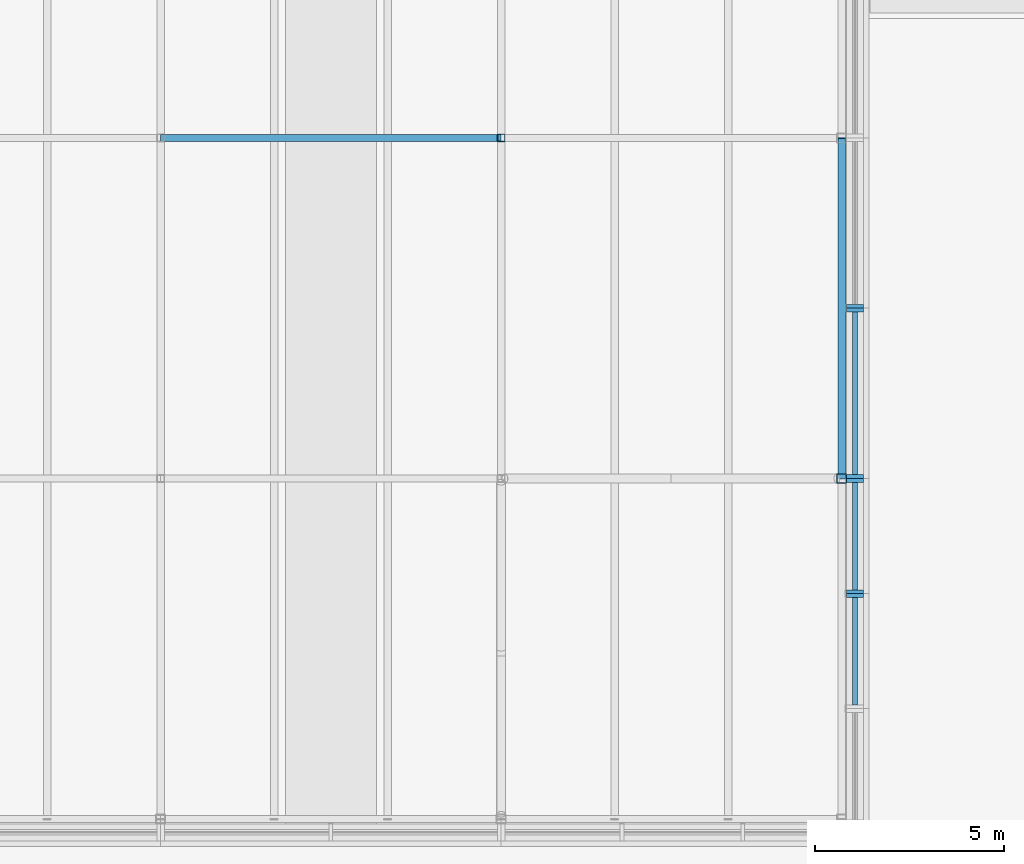
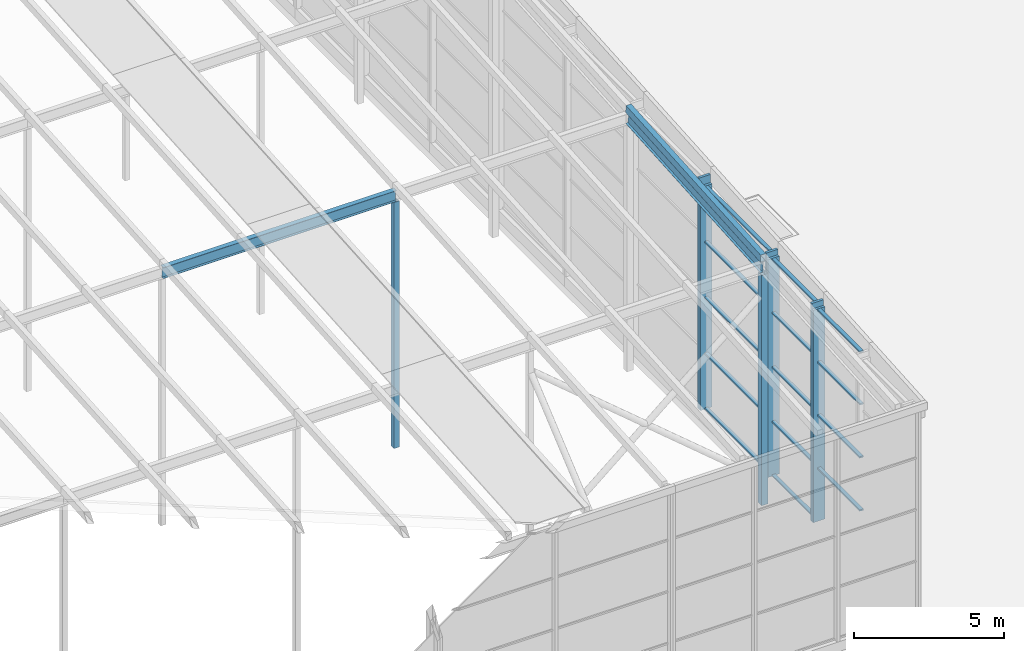
# One storey, part 21 of 84: 23 members, 2 beams, 4 elements without a shape of their own.
"""IFC4 building model written with IfcOpenShell, lengths in metres."""

import ifcopenshell
import ifcopenshell.guid

model = None  # the IFC model being written
_history = None  # IfcOwnerHistory: only IFC2X3 demands one
_inside = {}  # id of a spatial element -> (the spatial element, [elements in it])
_under = {}  # id of a project, library or spatial element -> (it, [spatial elements below it])
_declared = {}  # id of a project -> (the project, [libraries it declares])
_typed = {}  # id of a type object -> (the type object, [elements of that type])
_made_of = {}  # id of a material, layer set ... -> (it, [elements and type objects made of it])


def new_model(schema):
    """Start an empty IFC model of exactly this schema.

    Asked for "IFC4X3", IfcOpenShell would pick the latest addendum, in which some entities
    have other attributes; the version numbers below select the first issue.
    IFC2X3 requires an IfcOwnerHistory on every rooted entity: one is made here for all.
    """
    global model, _history
    if schema == "IFC4X3":
        model = ifcopenshell.file(schema_version=(4, 3, 0, 0))
    else:
        model = ifcopenshell.file(schema=schema)
    _inside.clear()
    _under.clear()
    _declared.clear()
    _typed.clear()
    _made_of.clear()
    _history = None
    if model.schema == "IFC2X3":
        org = make("IfcOrganization", Name="unknown")
        user = make(
            "IfcPersonAndOrganization",
            ThePerson=make("IfcPerson", FamilyName="unknown"),
            TheOrganization=org,
        )
        app = make(
            "IfcApplication",
            ApplicationDeveloper=org,
            Version="unknown",
            ApplicationFullName="unknown",
            ApplicationIdentifier="unknown",
        )
        _history = make(
            "IfcOwnerHistory",
            OwningUser=user,
            OwningApplication=app,
            ChangeAction="ADDED",
            CreationDate=0,
        )
    return model


def make(cls, **values):
    """One entity of the class cls with the attributes given. An attribute that is None is left unset."""
    return model.create_entity(
        cls, **{name: value for name, value in values.items() if value is not None}
    )


def rooted(cls, **values):
    """An entity with a GlobalId (a new one), such as an element, a storey or a relation."""
    return make(cls, GlobalId=ifcopenshell.guid.new(), OwnerHistory=_history, **values)


def si_unit(unit_type, name, prefix=None):
    """IfcSIUnit, for example si_unit("LENGTHUNIT", "METRE", prefix="MILLI")."""
    return make("IfcSIUnit", UnitType=unit_type, Prefix=prefix, Name=name)


def assignment(units):
    """IfcUnitAssignment: the units of a project."""
    return None if units is None else make("IfcUnitAssignment", Units=units)


def point(xyz):
    """IfcCartesianPoint."""
    return None if xyz is None else make("IfcCartesianPoint", Coordinates=xyz)


def direction(xyz):
    """IfcDirection."""
    return None if xyz is None else make("IfcDirection", DirectionRatios=xyz)


def frame(location, z_axis=None, x_axis=None):
    """IfcAxis2Placement3D, a coordinate frame: its origin and axes. An axis left out is left unset."""
    return make(
        "IfcAxis2Placement3D",
        Location=point(location),
        Axis=direction(z_axis),
        RefDirection=direction(x_axis),
    )


def frame_2d(location, x_axis=None):
    """IfcAxis2Placement2D, a coordinate frame in the plane: its origin and x axis."""
    return make(
        "IfcAxis2Placement2D", Location=point(location), RefDirection=direction(x_axis)
    )


def origin():
    """The frame at (0, 0, 0) with its axes left unset."""
    return frame((0.0, 0.0, 0.0))


def origin_2d():
    """The frame at (0, 0) in the plane with its x axis left unset."""
    return frame_2d((0.0, 0.0))


def place(relative_to, where):
    """IfcLocalPlacement: puts the frame where relative to a parent placement (None: the world)."""
    return make(
        "IfcLocalPlacement", PlacementRelTo=relative_to, RelativePlacement=where
    )


def context(
    kind, dimensions, precision=None, world=None, true_north=None, identifier=None
):
    """IfcGeometricRepresentationContext, for example the 3D "Model" context."""
    return make(
        "IfcGeometricRepresentationContext",
        ContextIdentifier=identifier,
        ContextType=kind,
        CoordinateSpaceDimension=dimensions,
        Precision=precision,
        WorldCoordinateSystem=world,
        TrueNorth=true_north,
    )


def subcontext(parent, identifier, kind, view, scale=None):
    """IfcGeometricRepresentationSubContext, for example "Body" below "Model"."""
    return make(
        "IfcGeometricRepresentationSubContext",
        ContextIdentifier=identifier,
        ContextType=kind,
        ParentContext=parent,
        TargetScale=scale,
        TargetView=view,
    )


def project(units=None, contexts=None):
    """IfcProject with its units and contexts."""
    return rooted(
        "IfcProject",
        Name="project",
        RepresentationContexts=contexts,
        UnitsInContext=assignment(units),
    )


def spatial(cls, under=None, at=None, **own):
    """A site, building, storey or space (cls), placed at a placement, below another one or the project."""
    s = rooted(cls, ObjectPlacement=at, **own)
    if under is not None:
        _under.setdefault(under.id(), (under, []))[1].append(s)
    return s


def profile(cls, at=None, kind="AREA", **sizes):
    """A parametric profile (cls). Its sizes go by their IFC names, for example OverallWidth=200.0."""
    return make(cls, ProfileType=kind, Position=at, **sizes)


def rectangle(**sizes):
    """IfcRectangleProfileDef."""
    return profile("IfcRectangleProfileDef", **sizes)


def hollow_rectangle(**sizes):
    """IfcRectangleHollowProfileDef."""
    return profile("IfcRectangleHollowProfileDef", **sizes)


def i_section(**sizes):
    """IfcIShapeProfileDef."""
    return profile("IfcIShapeProfileDef", **sizes)


def extrude(swept, where, along, depth):
    """IfcExtrudedAreaSolid: the profile swept, set in the frame where, extruded along a direction by depth."""
    return make(
        "IfcExtrudedAreaSolid",
        SweptArea=swept,
        Position=where,
        ExtrudedDirection=direction(along),
        Depth=depth,
    )


def shape(context_of_items, identifier, shape_type, items):
    """IfcShapeRepresentation: the items that make up one representation, for example the "Body"."""
    return make(
        "IfcShapeRepresentation",
        ContextOfItems=context_of_items,
        RepresentationIdentifier=identifier,
        RepresentationType=shape_type,
        Items=items,
    )


def material(Name=None, Category=None):
    """IfcMaterial."""
    return make("IfcMaterial", Name=Name, Category=Category)


def material_profile(
    of_material, cross_section, Name=None, Category=None, Priority=None
):
    """IfcMaterialProfile: a cross section and its material."""
    return make(
        "IfcMaterialProfile",
        Name=Name,
        Material=of_material,
        Profile=cross_section,
        Priority=Priority,
        Category=Category,
    )


def profile_set(profiles, Name=None, composite=None):
    """IfcMaterialProfileSet."""
    return make(
        "IfcMaterialProfileSet",
        Name=Name,
        MaterialProfiles=profiles,
        CompositeProfile=composite,
    )


def made_of(thing, what):
    """Note that an element or type object is made of a material, layer set ...; save() writes the relation."""
    if what is not None:
        _made_of.setdefault(what.id(), (what, []))[1].append(thing)
    return thing


def type_object(cls, material=None, **own):
    """A type object (cls), such as IfcWallType, which elements share."""
    return made_of(rooted(cls, **own), material)


def element(
    cls,
    number,
    at=None,
    inside=None,
    cuts=None,
    type_object=None,
    material=None,
    context=None,
    identifier="Body",
    shape_type=None,
    held_by="IfcProductDefinitionShape",
    body=None,
    shapes=None,
    **own,
):
    """One element of the class cls, such as IfcWall. Its Tag is "e" and its number.

    at: its placement. inside: the storey or other place that contains it. cuts: it is an
    opening in that element (IfcRelVoidsElement). A single representation is given by context,
    identifier, shape_type and body (its items); several are given by shapes. held_by: the class
    of the entity that holds the representations. save() writes the other relations.
    """
    e = rooted(cls, Tag="e%d" % number, ObjectPlacement=at, **own)
    if body is not None:
        shapes = [shape(context, identifier, shape_type, body)]
    if shapes is not None:
        e.Representation = make(held_by, Representations=shapes)
    if inside is not None:
        _inside.setdefault(inside.id(), (inside, []))[1].append(e)
    if cuts is not None:
        rooted(
            "IfcRelVoidsElement", RelatingBuildingElement=cuts, RelatedOpeningElement=e
        )
    if type_object is not None:
        _typed.setdefault(type_object.id(), (type_object, []))[1].append(e)
    return made_of(e, material)


def aggregate(whole, parts):
    """IfcRelAggregates: a whole, such as a stair, and the parts it consists of."""
    return rooted("IfcRelAggregates", RelatingObject=whole, RelatedObjects=parts)


def save(model, path):
    """Write the relations noted so far, then the file.

    IfcRelAggregates (storeys below a building ...), IfcRelContainedInSpatialStructure (elements
    in a storey), IfcRelDefinesByType, IfcRelAssociatesMaterial and IfcRelDeclares: one each for
    every whole, place, type object, material and project.
    """
    for whole, parts in _under.values():
        aggregate(whole, parts)
    for where, things in _inside.values():
        rooted(
            "IfcRelContainedInSpatialStructure",
            RelatedElements=things,
            RelatingStructure=where,
        )
    for kind, things in _typed.values():
        rooted("IfcRelDefinesByType", RelatedObjects=things, RelatingType=kind)
    for what, things in _made_of.values():
        rooted("IfcRelAssociatesMaterial", RelatedObjects=things, RelatingMaterial=what)
    for by, libraries in _declared.values():
        rooted("IfcRelDeclares", RelatingContext=by, RelatedDefinitions=libraries)
    model.write(path)


model = new_model("IFC4")

# Units and contexts
model_context = context("Model", 3, precision=1e-05, world=origin(), true_north=direction((0.0, 1.0)))
body_context = subcontext(model_context, "Body", "Model", "MODEL_VIEW")
ifc_project = project(units=[si_unit("LENGTHUNIT", "METRE"), si_unit("AREAUNIT", "SQUARE_METRE"), si_unit("VOLUMEUNIT", "CUBIC_METRE"), si_unit("PLANEANGLEUNIT", "RADIAN"), si_unit("MASSUNIT", "GRAM", prefix="KILO")], contexts=[model_context])

# Site, building, storey
site_placement = place(None, origin())
site = spatial("IfcSite", under=ifc_project, at=site_placement, CompositionType="ELEMENT")
building_placement = place(site_placement, origin())
building = spatial("IfcBuilding", under=site, at=building_placement, Name="Silverbay Arena", CompositionType="ELEMENT")
storey_placement = place(building_placement, frame((0.0, 0.0, 47.10009765625)))
storey = spatial("IfcBuildingStorey", under=building, at=storey_placement, Name="ROOF", CompositionType="ELEMENT", Elevation=47.10009765625)

# Curtain wall, member
ifc_material_1 = material(Name="Aluminium framed glazing", Category="aluminium")
curtain_wall_type_1 = type_object("IfcCurtainWallType", Name="Curtain wall crown 3042 x 8661", PredefinedType="NOTDEFINED", material=ifc_material_1)
curtain_wall_1_placement = place(storey_placement, origin())
curtain_wall_1 = element("IfcCurtainWall", 1, at=curtain_wall_1_placement, inside=storey, type_object=curtain_wall_type_1, Name="ROOF CROWN CURTAIN WALL east bay 02", PredefinedType="NOTDEFINED")
ifc_material_2 = material(Name="Aluminium", Category="aluminium")
ifc_material_profile_1 = material_profile(ifc_material_2, rectangle(XDim=0.449951171875, YDim=0.10009765625, at=origin_2d()), Name="Mullion 100 x 450")
ifc_profile_set_1 = profile_set([ifc_material_profile_1], Name="Aluminium")
member_type_1 = type_object("IfcMemberType", Name="Mullion 100 x 450", PredefinedType="MULLION", material=ifc_profile_set_1)
placement = place(building_placement, frame((0.0, 0.0, 33.5)))
member_1_placement = place(placement, frame((180.35009765625, 32.908447265625, 14.050048828125), z_axis=(0.0, 0.0, 1.0), x_axis=(-1.0, 0.0, 0.0)))
member_1 = element("IfcMember", 2, at=member_1_placement, type_object=member_type_1, Name="CW64 mullion 2", PredefinedType="MULLION", context=body_context, shape_type="SweptSolid", body=[
    extrude(rectangle(XDim=0.449951171875, YDim=0.10009765625, at=origin_2d()), origin(), (0.0, 0.0, 1.0), 8.66064453125),
])

# Curtain wall, members
ifc_material_3 = material(Name="Aluminium framed glazing", Category="aluminium")
curtain_wall_type_2 = type_object("IfcCurtainWallType", Name="Curtain wall crown 3042 x 8880", PredefinedType="NOTDEFINED", material=ifc_material_3)
curtain_wall_2_placement = place(storey_placement, origin())
curtain_wall_2 = element("IfcCurtainWall", 3, at=curtain_wall_2_placement, inside=storey, type_object=curtain_wall_type_2, Name="ROOF CROWN CURTAIN WALL east bay 03", PredefinedType="NOTDEFINED")
member_2_placement = place(placement, frame((180.35009765625, 33.00830078125, 14.050048828125), z_axis=(0.0, 0.0, 1.0), x_axis=(-1.0, 0.0, 0.0)))
member_2 = element("IfcMember", 4, at=member_2_placement, type_object=member_type_1, Name="CW65 mullion 1", PredefinedType="MULLION", context=body_context, shape_type="SweptSolid", body=[
    extrude(rectangle(XDim=0.449951171875, YDim=0.10009765625, at=origin_2d()), origin(), (0.0, 0.0, 1.0), 8.88037109375),
])
member_3_placement = place(placement, frame((180.35009765625, 35.949951171875, 14.050048828125), z_axis=(0.0, 0.0, 1.0), x_axis=(-1.0, 0.0, 0.0)))
member_3 = element("IfcMember", 5, at=member_3_placement, type_object=member_type_1, Name="CW65 mullion 2", PredefinedType="MULLION", context=body_context, shape_type="SweptSolid", body=[
    extrude(rectangle(XDim=0.449951171875, YDim=0.10009765625, at=origin_2d()), origin(), (0.0, 0.0, 1.0), 8.88037109375),
])

ifc_material_4 = material(Name="Aluminium framed glazing", Category="aluminium")
curtain_wall_type_3 = type_object("IfcCurtainWallType", Name="Curtain wall crown 4500 x 9100", PredefinedType="NOTDEFINED", material=ifc_material_4)
curtain_wall_3_placement = place(storey_placement, origin())
curtain_wall_3 = element("IfcCurtainWall", 6, at=curtain_wall_3_placement, inside=storey, type_object=curtain_wall_type_3, Name="ROOF CROWN CURTAIN WALL east bay 04", PredefinedType="NOTDEFINED")
member_4_placement = place(placement, frame((180.35009765625, 36.050048828125, 14.050048828125), z_axis=(0.0, 0.0, 1.0), x_axis=(-1.0, 0.0, 0.0)))
member_4 = element("IfcMember", 7, at=member_4_placement, type_object=member_type_1, Name="CW66 mullion 1", PredefinedType="MULLION", context=body_context, shape_type="SweptSolid", body=[
    extrude(rectangle(XDim=0.449951171875, YDim=0.10009765625, at=origin_2d()), origin(), (0.0, 0.0, 1.0), 9.099853515625),
])
member_5_placement = place(placement, frame((180.35009765625, 40.449951171875, 14.050048828125), z_axis=(0.0, 0.0, 1.0), x_axis=(-1.0, 0.0, 0.0)))
member_5 = element("IfcMember", 8, at=member_5_placement, type_object=member_type_1, Name="CW66 mullion 2", PredefinedType="MULLION", context=body_context, shape_type="SweptSolid", body=[
    extrude(rectangle(XDim=0.449951171875, YDim=0.10009765625, at=origin_2d()), origin(), (0.0, 0.0, 1.0), 9.099853515625),
])

# Curtain wall, member
ifc_material_5 = material(Name="Aluminium framed glazing", Category="aluminium")
curtain_wall_type_4 = type_object("IfcCurtainWallType", Name="Curtain wall crown 4500 x 9425", PredefinedType="NOTDEFINED", material=ifc_material_5)
curtain_wall_4_placement = place(storey_placement, origin())
curtain_wall_4 = element("IfcCurtainWall", 9, at=curtain_wall_4_placement, inside=storey, type_object=curtain_wall_type_4, Name="ROOF CROWN CURTAIN WALL east bay 05", PredefinedType="NOTDEFINED")
member_6_placement = place(placement, frame((180.35009765625, 40.550048828125, 14.050048828125), z_axis=(0.0, 0.0, 1.0), x_axis=(-1.0, 0.0, 0.0)))
member_6 = element("IfcMember", 10, at=member_6_placement, type_object=member_type_1, Name="CW67 mullion 1", PredefinedType="MULLION", context=body_context, shape_type="SweptSolid", body=[
    extrude(rectangle(XDim=0.449951171875, YDim=0.10009765625, at=origin_2d()), origin(), (0.0, 0.0, 1.0), 9.425048828125),
])
aggregate(curtain_wall_4, [member_6])

# Member
ifc_material_6 = material(Name="Steel S355", Category="steel")
ifc_material_profile_2 = material_profile(ifc_material_6, hollow_rectangle(XDim=0.199951171875, YDim=0.300048828125, WallThickness=0.008056640625, at=origin_2d()), Name="RHS 300x200x8")
ifc_profile_set_2 = profile_set([ifc_material_profile_2], Name="Steel S355")
member_type_2 = type_object("IfcMemberType", Name="Purlin RHS 300x200x8", PredefinedType="PURLIN", material=ifc_profile_set_2)
member_7_placement = place(storey_placement, frame((180.0, 36.0, 9.3994140625), z_axis=(0.0, 0.997400967367, 0.07205074805), x_axis=(-1.0, 0.0, 0.0)))
element("IfcMember", 11, at=member_7_placement, inside=storey, type_object=member_type_2, Name="ROOF PURLIN crown line 34 bay 02", PredefinedType="PURLIN", context=body_context, shape_type="SweptSolid", body=[
    extrude(hollow_rectangle(XDim=0.199951171875, YDim=0.300048828125, WallThickness=0.008056640625, at=origin_2d()), origin(), (0.0, 0.0, 1.0), 9.0234375),
])

# Beams
ifc_material_7 = material(Name="Steel S355", Category="steel")
ifc_material_profile_3 = material_profile(ifc_material_7, i_section(OverallWidth=0.18994140625, OverallDepth=0.453369140625, WebThickness=0.008544921875, FlangeThickness=0.0126953125, at=origin_2d()), Name="UB 457x191x67")
ifc_profile_set_3 = profile_set([ifc_material_profile_3], Name="Steel S355")
beam_type = type_object("IfcBeamType", Name="Ring beam UB 457x191x67", PredefinedType="BEAM", material=ifc_profile_set_3)
beam_1_placement = place(storey_placement, frame((162.0, 45.0, 9.67236328125), z_axis=(1.0, 0.0, 0.0), x_axis=(0.0, 1.0, 0.0)))
element("IfcBeam", 12, at=beam_1_placement, inside=storey, type_object=beam_type, Name="RING BEAM crown row 03 19-20", PredefinedType="BEAM", context=body_context, shape_type="SweptSolid", body=[
    extrude(i_section(OverallWidth=0.18994140625, OverallDepth=0.453369140625, WebThickness=0.008544921875, FlangeThickness=0.0126953125, at=origin_2d()), origin(), (0.0, 0.0, 1.0), 9.0),
])
beam_2_placement = place(storey_placement, frame((180.0, 36.0, 9.0224609375), z_axis=(0.0, 0.997402911363, 0.072023832195), x_axis=(-1.0, 0.0, 0.0)))
element("IfcBeam", 13, at=beam_2_placement, inside=storey, type_object=beam_type, Name="RING BEAM crown east edge 02", PredefinedType="BEAM", context=body_context, shape_type="SweptSolid", body=[
    extrude(i_section(OverallWidth=0.18994140625, OverallDepth=0.453369140625, WebThickness=0.008544921875, FlangeThickness=0.0126953125, at=origin_2d()), origin(), (0.0, 0.0, 1.0), 9.0234375),
])

# Members
ifc_material_8 = material(Name="Steel S355", Category="steel")
ifc_material_profile_4 = material_profile(ifc_material_8, hollow_rectangle(XDim=0.199951171875, YDim=0.199951171875, WallThickness=0.008056640625, at=origin_2d()), Name="SHS 200x200x8")
ifc_profile_set_4 = profile_set([ifc_material_profile_4], Name="Steel S355")
member_type_3 = type_object("IfcMemberType", Name="Roof post SHS 200x200x8", PredefinedType="POST", material=ifc_profile_set_4)
member_8_placement = place(storey_placement, frame((171.0, 45.0, -0.60009765625), z_axis=(0.0, 0.0, 1.0), x_axis=(1.0, 0.0, 0.0)))
element("IfcMember", 14, at=member_8_placement, inside=storey, type_object=member_type_3, Name="ROOF CROWN POST 20 row 03", PredefinedType="POST", context=body_context, shape_type="SweptSolid", body=[
    extrude(hollow_rectangle(XDim=0.199951171875, YDim=0.199951171875, WallThickness=0.008056640625, at=origin_2d()), origin(), (0.0, 0.0, 1.0), 10.0458984375),
])
ifc_material_9 = material(Name="Steel S355", Category="steel")
ifc_material_profile_5 = material_profile(ifc_material_9, hollow_rectangle(XDim=0.25, YDim=0.25, WallThickness=0.008056640625, at=origin_2d()), Name="SHS 250x250x8")
ifc_profile_set_5 = profile_set([ifc_material_profile_5], Name="Steel S355")
member_type_4 = type_object("IfcMemberType", Name="Roof post SHS 250x250x8", PredefinedType="POST", material=ifc_profile_set_5)
member_9_placement = place(storey_placement, frame((180.0, 36.0, -0.60009765625), z_axis=(0.0, 0.0, 1.0), x_axis=(1.0, 0.0, 0.0)))
element("IfcMember", 15, at=member_9_placement, inside=storey, type_object=member_type_4, Name="ROOF CROWN POST 21 row 02", PredefinedType="POST", context=body_context, shape_type="SweptSolid", body=[
    extrude(hollow_rectangle(XDim=0.25, YDim=0.25, WallThickness=0.008056640625, at=origin_2d()), origin(), (0.0, 0.0, 1.0), 9.395751953125),
])

# Member
ifc_material_10 = material(Name="Aluminium", Category="aluminium")
ifc_material_profile_6 = material_profile(ifc_material_10, rectangle(XDim=0.139892578125, YDim=0.06005859375, at=origin_2d()), Name="Transom 60 x 140")
ifc_profile_set_6 = profile_set([ifc_material_profile_6], Name="Aluminium")
member_type_5 = type_object("IfcMemberType", Name="Transom 60 x 140", PredefinedType="USERDEFINED", material=ifc_profile_set_6)
member_10_placement = place(placement, frame((180.35009765625, 30.0166015625, 16.215087890625), z_axis=(0.0, 1.0, 0.0), x_axis=(-1.0, 0.0, 0.0)))
member_10 = element("IfcMember", 16, at=member_10_placement, type_object=member_type_5, Name="CW64 transom 1.2", ObjectType="TRANSOM", PredefinedType="USERDEFINED", context=body_context, shape_type="SweptSolid", body=[
    extrude(rectangle(XDim=0.139892578125, YDim=0.06005859375, at=origin_2d()), origin(), (0.0, 0.0, 1.0), 2.841796875),
])

member_11_placement = place(placement, frame((180.35009765625, 30.0166015625, 18.38037109375), z_axis=(0.0, 1.0, 0.0), x_axis=(-1.0, 0.0, 0.0)))
member_11 = element("IfcMember", 17, at=member_11_placement, type_object=member_type_5, Name="CW64 transom 1.3", ObjectType="TRANSOM", PredefinedType="USERDEFINED", context=body_context, shape_type="SweptSolid", body=[
    extrude(rectangle(XDim=0.139892578125, YDim=0.06005859375, at=origin_2d()), origin(), (0.0, 0.0, 1.0), 2.841796875),
])

member_12_placement = place(placement, frame((180.35009765625, 30.0166015625, 20.54541015625), z_axis=(0.0, 1.0, 0.0), x_axis=(-1.0, 0.0, 0.0)))
member_12 = element("IfcMember", 18, at=member_12_placement, type_object=member_type_5, Name="CW64 transom 1.4", ObjectType="TRANSOM", PredefinedType="USERDEFINED", context=body_context, shape_type="SweptSolid", body=[
    extrude(rectangle(XDim=0.139892578125, YDim=0.06005859375, at=origin_2d()), origin(), (0.0, 0.0, 1.0), 2.841796875),
])

member_13_placement = place(placement, frame((180.35009765625, 30.0166015625, 22.6806640625), z_axis=(0.0, 1.0, 0.0), x_axis=(-1.0, 0.0, 0.0)))
member_13 = element("IfcMember", 19, at=member_13_placement, type_object=member_type_5, Name="CW64 transom 1.5", ObjectType="TRANSOM", PredefinedType="USERDEFINED", context=body_context, shape_type="SweptSolid", body=[
    extrude(rectangle(XDim=0.139892578125, YDim=0.06005859375, at=origin_2d()), origin(), (0.0, 0.0, 1.0), 2.841796875),
])

aggregate(curtain_wall_1, [member_1, member_10, member_11, member_12, member_13])

member_14_placement = place(placement, frame((180.35009765625, 33.058349609375, 14.080078125), z_axis=(0.0, 1.0, 0.0), x_axis=(-1.0, 0.0, 0.0)))
member_14 = element("IfcMember", 20, at=member_14_placement, type_object=member_type_5, Name="CW65 transom 1.1", ObjectType="TRANSOM", PredefinedType="USERDEFINED", context=body_context, shape_type="SweptSolid", body=[
    extrude(rectangle(XDim=0.139892578125, YDim=0.06005859375, at=origin_2d()), origin(), (0.0, 0.0, 1.0), 2.841552734375),
])

member_15_placement = place(placement, frame((180.35009765625, 33.058349609375, 16.27001953125), z_axis=(0.0, 1.0, 0.0), x_axis=(-1.0, 0.0, 0.0)))
member_15 = element("IfcMember", 21, at=member_15_placement, type_object=member_type_5, Name="CW65 transom 1.2", ObjectType="TRANSOM", PredefinedType="USERDEFINED", context=body_context, shape_type="SweptSolid", body=[
    extrude(rectangle(XDim=0.139892578125, YDim=0.06005859375, at=origin_2d()), origin(), (0.0, 0.0, 1.0), 2.841552734375),
])

member_16_placement = place(placement, frame((180.35009765625, 33.058349609375, 18.490234375), z_axis=(0.0, 1.0, 0.0), x_axis=(-1.0, 0.0, 0.0)))
member_16 = element("IfcMember", 22, at=member_16_placement, type_object=member_type_5, Name="CW65 transom 1.3", ObjectType="TRANSOM", PredefinedType="USERDEFINED", context=body_context, shape_type="SweptSolid", body=[
    extrude(rectangle(XDim=0.139892578125, YDim=0.06005859375, at=origin_2d()), origin(), (0.0, 0.0, 1.0), 2.841552734375),
])

member_17_placement = place(placement, frame((180.35009765625, 33.058349609375, 20.710205078125), z_axis=(0.0, 1.0, 0.0), x_axis=(-1.0, 0.0, 0.0)))
member_17 = element("IfcMember", 23, at=member_17_placement, type_object=member_type_5, Name="CW65 transom 1.4", ObjectType="TRANSOM", PredefinedType="USERDEFINED", context=body_context, shape_type="SweptSolid", body=[
    extrude(rectangle(XDim=0.139892578125, YDim=0.06005859375, at=origin_2d()), origin(), (0.0, 0.0, 1.0), 2.841552734375),
])

member_18_placement = place(placement, frame((180.35009765625, 33.058349609375, 22.900390625), z_axis=(0.0, 1.0, 0.0), x_axis=(-1.0, 0.0, 0.0)))
member_18 = element("IfcMember", 24, at=member_18_placement, type_object=member_type_5, Name="CW65 transom 1.5", ObjectType="TRANSOM", PredefinedType="USERDEFINED", context=body_context, shape_type="SweptSolid", body=[
    extrude(rectangle(XDim=0.139892578125, YDim=0.06005859375, at=origin_2d()), origin(), (0.0, 0.0, 1.0), 2.841552734375),
])

aggregate(curtain_wall_2, [member_2, member_3, member_14, member_15, member_16, member_17, member_18])

member_19_placement = place(placement, frame((180.35009765625, 36.10009765625, 14.080078125), z_axis=(0.0, 1.0, 0.0), x_axis=(-1.0, 0.0, 0.0)))
member_19 = element("IfcMember", 25, at=member_19_placement, type_object=member_type_5, Name="CW66 transom 1.1", ObjectType="TRANSOM", PredefinedType="USERDEFINED", context=body_context, shape_type="SweptSolid", body=[
    extrude(rectangle(XDim=0.139892578125, YDim=0.06005859375, at=origin_2d()), origin(), (0.0, 0.0, 1.0), 4.2998046875),
])

member_20_placement = place(placement, frame((180.35009765625, 36.10009765625, 16.324951171875), z_axis=(0.0, 1.0, 0.0), x_axis=(-1.0, 0.0, 0.0)))
member_20 = element("IfcMember", 26, at=member_20_placement, type_object=member_type_5, Name="CW66 transom 1.2", ObjectType="TRANSOM", PredefinedType="USERDEFINED", context=body_context, shape_type="SweptSolid", body=[
    extrude(rectangle(XDim=0.139892578125, YDim=0.06005859375, at=origin_2d()), origin(), (0.0, 0.0, 1.0), 4.2998046875),
])

member_21_placement = place(placement, frame((180.35009765625, 36.10009765625, 18.60009765625), z_axis=(0.0, 1.0, 0.0), x_axis=(-1.0, 0.0, 0.0)))
member_21 = element("IfcMember", 27, at=member_21_placement, type_object=member_type_5, Name="CW66 transom 1.3", ObjectType="TRANSOM", PredefinedType="USERDEFINED", context=body_context, shape_type="SweptSolid", body=[
    extrude(rectangle(XDim=0.139892578125, YDim=0.06005859375, at=origin_2d()), origin(), (0.0, 0.0, 1.0), 4.2998046875),
])

member_22_placement = place(placement, frame((180.35009765625, 36.10009765625, 20.875), z_axis=(0.0, 1.0, 0.0), x_axis=(-1.0, 0.0, 0.0)))
member_22 = element("IfcMember", 28, at=member_22_placement, type_object=member_type_5, Name="CW66 transom 1.4", ObjectType="TRANSOM", PredefinedType="USERDEFINED", context=body_context, shape_type="SweptSolid", body=[
    extrude(rectangle(XDim=0.139892578125, YDim=0.06005859375, at=origin_2d()), origin(), (0.0, 0.0, 1.0), 4.2998046875),
])

member_23_placement = place(placement, frame((180.35009765625, 36.10009765625, 23.1201171875), z_axis=(0.0, 1.0, 0.0), x_axis=(-1.0, 0.0, 0.0)))
member_23 = element("IfcMember", 29, at=member_23_placement, type_object=member_type_5, Name="CW66 transom 1.5", ObjectType="TRANSOM", PredefinedType="USERDEFINED", context=body_context, shape_type="SweptSolid", body=[
    extrude(rectangle(XDim=0.139892578125, YDim=0.06005859375, at=origin_2d()), origin(), (0.0, 0.0, 1.0), 4.2998046875),
])

aggregate(curtain_wall_3, [member_4, member_5, member_19, member_20, member_21, member_22, member_23])

save(model, "model.ifc")
